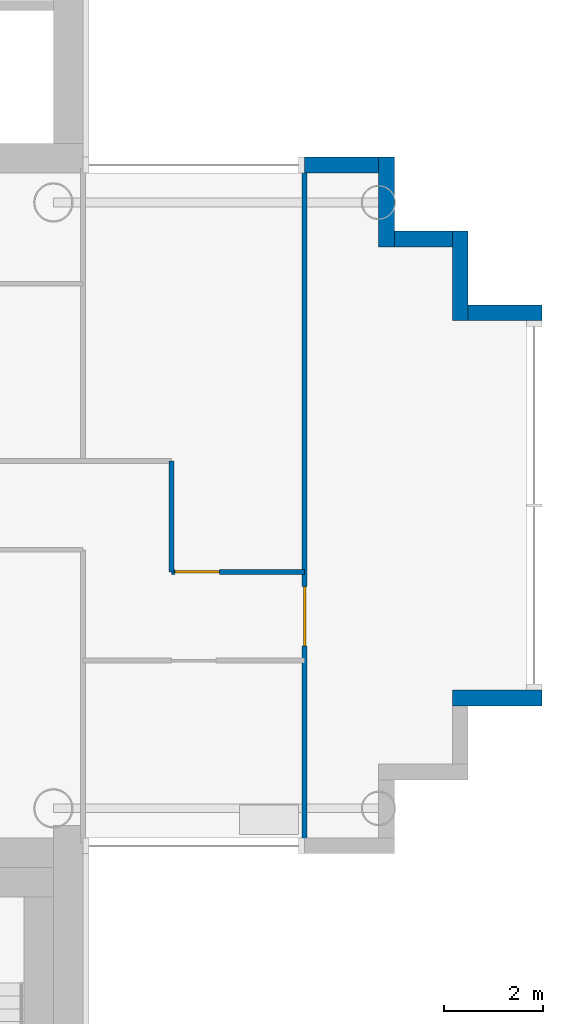
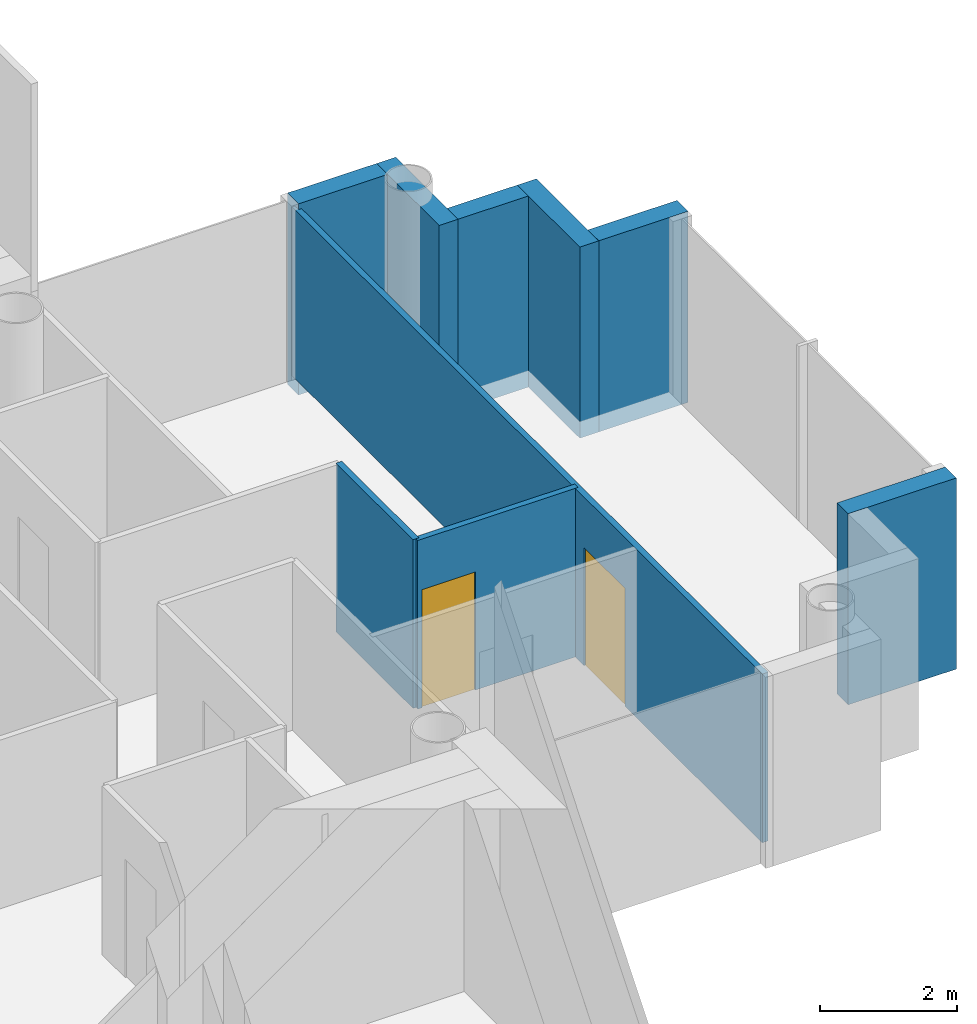
# One storey, part 11 of 18: 9 walls, 2 doors, 2 openings.
"""IFC4 building model written with IfcOpenShell, lengths in metres."""

from ifc_helpers import new_model, si_unit, direction, frame, frame_2d, origin, place, context, subcontext, project, spatial, rectangle, extrude, material, layer, layer_set, type_object, element, fill, save


model = new_model("IFC4")

# Units and contexts
model_context = context("Model", 3, precision=1e-05, world=origin(), true_north=direction((0.0, 1.0)))
body_context = subcontext(model_context, "Body", "Model", "MODEL_VIEW")
ifc_project = project(units=[si_unit("LENGTHUNIT", "METRE"), si_unit("AREAUNIT", "SQUARE_METRE"), si_unit("VOLUMEUNIT", "CUBIC_METRE"), si_unit("PLANEANGLEUNIT", "RADIAN"), si_unit("MASSUNIT", "GRAM", prefix="KILO")], contexts=[model_context])

# Site, building, storey
site_placement = place(None, origin())
site = spatial("IfcSite", under=ifc_project, at=site_placement, CompositionType="ELEMENT")
building_placement = place(site_placement, origin())
building = spatial("IfcBuilding", under=site, at=building_placement, Name="Ipe Terrace Towers", CompositionType="ELEMENT")
storey_placement = place(building_placement, frame((0.0, 0.0, 226.60009765625)))
storey = spatial("IfcBuildingStorey", under=building, at=storey_placement, Name="L63", CompositionType="ELEMENT", Elevation=226.60009765625)

# Walls
ifc_material_1 = material(Name="Concrete C40/50 with buff precast cladding", Category="concrete")
ifc_layer_1 = layer(ifc_material_1, 0.320068359375)
ifc_layer_set_1 = layer_set([ifc_layer_1], Name="BUFF CLADDING WALL 320")
wall_type_1 = type_object("IfcWallType", Name="BUFF CLADDING WALL 320", PredefinedType="STANDARD", material=ifc_layer_set_1)
wall_1_placement = place(storey_placement, frame((50.25, -3.909912109375, -0.300048828125), z_axis=(0.0, 0.0, 1.0), x_axis=(1.0, 0.0, 0.0)))
element("IfcWall", 1, at=wall_1_placement, inside=storey, type_object=wall_type_1, Name="T2-W-L63-07a wall", PredefinedType="STANDARD", context=body_context, shape_type="SweptSolid", body=[
    extrude(rectangle(XDim=1.820068359375, YDim=0.320068359375, at=frame_2d((0.91015625, 0.0))), origin(), (0.0, 0.0, 1.0), 3.39990234375),
])
wall_2_placement = place(storey_placement, frame((52.070068359375, 3.909912109375, -0.300048828125), z_axis=(0.0, 0.0, 1.0), x_axis=(-1.0, 0.0, 0.0)))
element("IfcWall", 2, at=wall_2_placement, inside=storey, type_object=wall_type_1, Name="T2-W-L63-09a wall", PredefinedType="STANDARD", context=body_context, shape_type="SweptSolid", body=[
    extrude(rectangle(XDim=1.5, YDim=0.320068359375, at=frame_2d((0.75, 0.0))), origin(), (0.0, 0.0, 1.0), 3.39990234375),
])
wall_3_placement = place(storey_placement, frame((50.409912109375, 3.75, -0.300048828125), z_axis=(0.0, 0.0, 1.0), x_axis=(0.0, 1.0, 0.0)))
element("IfcWall", 3, at=wall_3_placement, inside=storey, type_object=wall_type_1, Name="T2-W-L63-10a wall", PredefinedType="STANDARD", context=body_context, shape_type="SweptSolid", body=[
    extrude(rectangle(XDim=1.820068359375, YDim=0.320068359375, at=frame_2d((0.91015625, 0.0))), origin(), (0.0, 0.0, 1.0), 3.39990234375),
])
wall_4_placement = place(storey_placement, frame((50.25, 5.409912109375, -0.300048828125), z_axis=(0.0, 0.0, 1.0), x_axis=(-1.0, 0.0, 0.0)))
element("IfcWall", 4, at=wall_4_placement, inside=storey, type_object=wall_type_1, Name="T2-W-L63-11a wall", PredefinedType="STANDARD", context=body_context, shape_type="SweptSolid", body=[
    extrude(rectangle(XDim=1.179931640625, YDim=0.320068359375, at=frame_2d((0.58984375, 0.0))), origin(), (0.0, 0.0, 1.0), 3.39990234375),
])
wall_5_placement = place(storey_placement, frame((48.909912109375, 5.25, -0.300048828125), z_axis=(0.0, 0.0, 1.0), x_axis=(0.0, 1.0, 0.0)))
element("IfcWall", 5, at=wall_5_placement, inside=storey, type_object=wall_type_1, Name="T2-W-L63-12a wall", PredefinedType="STANDARD", context=body_context, shape_type="SweptSolid", body=[
    extrude(rectangle(XDim=1.820068359375, YDim=0.320068359375, at=frame_2d((0.91015625, 0.0))), origin(), (0.0, 0.0, 1.0), 3.39990234375),
])
wall_6_placement = place(storey_placement, frame((48.75, 6.909912109375, -0.300048828125), z_axis=(0.0, 0.0, 1.0), x_axis=(-1.0, 0.0, 0.0)))
element("IfcWall", 6, at=wall_6_placement, inside=storey, type_object=wall_type_1, Name="T2-W-L63-13a wall", PredefinedType="STANDARD", context=body_context, shape_type="SweptSolid", body=[
    extrude(rectangle(XDim=1.5, YDim=0.320068359375, at=frame_2d((0.75, 0.0))), origin(), (0.0, 0.0, 1.0), 3.39990234375),
])

# Wall, opening, door
ifc_material_2 = material(Name="Gypsum board partition", Category="plasterboard")
ifc_layer_2 = layer(ifc_material_2, 0.10009765625)
ifc_layer_set_2 = layer_set([ifc_layer_2], Name="Gypsum board partition 100 mm")
wall_type_2 = type_object("IfcWallType", Name="Gypsum board partition 100 mm", PredefinedType="PARTITIONING", material=ifc_layer_set_2)
wall_7_placement = place(storey_placement, frame((47.25, -1.35009765625, 0.0), z_axis=(0.0, 0.0, 1.0), x_axis=(-1.0, 0.0, 0.0)))
wall_7 = element("IfcWall", 7, at=wall_7_placement, inside=storey, type_object=wall_type_2, Name="Gypsum board partition T2 L63 W06", PredefinedType="PARTITIONING", context=body_context, shape_type="SweptSolid", body=[
    extrude(rectangle(XDim=2.699951171875, YDim=0.10009765625, at=frame_2d((1.35009765625, 0.0))), origin(), (0.0, 0.0, 1.0), 3.0),
])
opening_1_placement = place(wall_7_placement, frame((1.72998046875, 0.0, 0.0)))
opening_1 = element("IfcOpeningElement", 8, at=opening_1_placement, cuts=wall_7, Name="Opening T2-Z4A-15", PredefinedType="OPENING", context=body_context, shape_type="SweptSolid", body=[
    extrude(rectangle(XDim=0.89990234375, YDim=2.10009765625, at=frame_2d((0.449951171875, 1.050048828125))), frame((0.0, 0.06005859375, 0.0), z_axis=(0.0, -1.0, 0.0), x_axis=(1.0, 0.0, 0.0)), (0.0, 0.0, 1.0), 0.1201171875),
])
ifc_material_3 = material(Name="Timber door leaf", Category="wood")
door_type_1 = type_object("IfcDoorType", Name="Lounge door 900 x 2100", OperationType="NOTDEFINED", PredefinedType="DOOR", material=ifc_material_3)
door_1_placement = place(opening_1_placement, origin())
door_1 = element("IfcDoor", 9, at=door_1_placement, inside=storey, type_object=door_type_1, Name="Lounge door T2-Z4A-15", OperationType="SINGLE_SWING_RIGHT", OverallHeight=2.10009765625, OverallWidth=0.89990234375, PredefinedType="DOOR", context=body_context, shape_type="SweptSolid", body=[
    extrude(rectangle(XDim=0.89990234375, YDim=2.10009765625, at=frame_2d((0.449951171875, 1.050048828125))), frame((0.0, 0.02490234375, 0.0), z_axis=(0.0, -1.0, 0.0), x_axis=(1.0, 0.0, 0.0)), (0.0, 0.0, 1.0), 0.050048828125),
])
fill(opening_1, door_1)

wall_8_placement = place(storey_placement, frame((47.25, -6.85009765625, 0.0), z_axis=(0.0, 0.0, 1.0), x_axis=(0.0, 1.0, 0.0)))
wall_8 = element("IfcWall", 10, at=wall_8_placement, inside=storey, type_object=wall_type_2, Name="Gypsum board partition T2 L63 W17", PredefinedType="PARTITIONING", context=body_context, shape_type="SweptSolid", body=[
    extrude(rectangle(XDim=13.7001953125, YDim=0.10009765625, at=frame_2d((6.85009765625, 0.0))), origin(), (0.0, 0.0, 1.0), 3.0),
])
opening_2_placement = place(wall_8_placement, frame((4.0, 0.0, 0.0)))
opening_2 = element("IfcOpeningElement", 11, at=opening_2_placement, cuts=wall_8, Name="Opening T2-Z4A-17", PredefinedType="OPENING", context=body_context, shape_type="SweptSolid", body=[
    extrude(rectangle(XDim=1.199951171875, YDim=2.10009765625, at=frame_2d((0.60009765625, 1.050048828125))), frame((0.0, 0.06005859375, 0.0), z_axis=(0.0, -1.0, 0.0), x_axis=(1.0, 0.0, 0.0)), (0.0, 0.0, 1.0), 0.1201171875),
])
ifc_material_4 = material(Name="Timber door leaf", Category="wood")
door_type_2 = type_object("IfcDoorType", Name="Lounge door 1200 x 2100", OperationType="NOTDEFINED", PredefinedType="DOOR", material=ifc_material_4)
door_2_placement = place(opening_2_placement, origin())
door_2 = element("IfcDoor", 12, at=door_2_placement, inside=storey, type_object=door_type_2, Name="Lounge door T2-Z4A-17", OperationType="SINGLE_SWING_LEFT", OverallHeight=2.10009765625, OverallWidth=1.199951171875, PredefinedType="DOOR", context=body_context, shape_type="SweptSolid", body=[
    extrude(rectangle(XDim=1.199951171875, YDim=2.10009765625, at=frame_2d((0.60009765625, 1.050048828125))), frame((0.0, 0.02490234375, 0.0), z_axis=(0.0, -1.0, 0.0), x_axis=(1.0, 0.0, 0.0)), (0.0, 0.0, 1.0), 0.050048828125),
])
fill(opening_2, door_2)

# Wall
wall_9_placement = place(storey_placement, frame((44.550048828125, -1.35009765625, 0.0), z_axis=(0.0, 0.0, 1.0), x_axis=(0.0, 1.0, 0.0)))
element("IfcWall", 13, at=wall_9_placement, inside=storey, type_object=wall_type_2, Name="Gypsum board partition T2 L63 W18", PredefinedType="PARTITIONING", context=body_context, shape_type="SweptSolid", body=[
    extrude(rectangle(XDim=2.25, YDim=0.10009765625, at=frame_2d((1.125, 0.0))), origin(), (0.0, 0.0, 1.0), 3.0),
])

save(model, "model.ifc")
